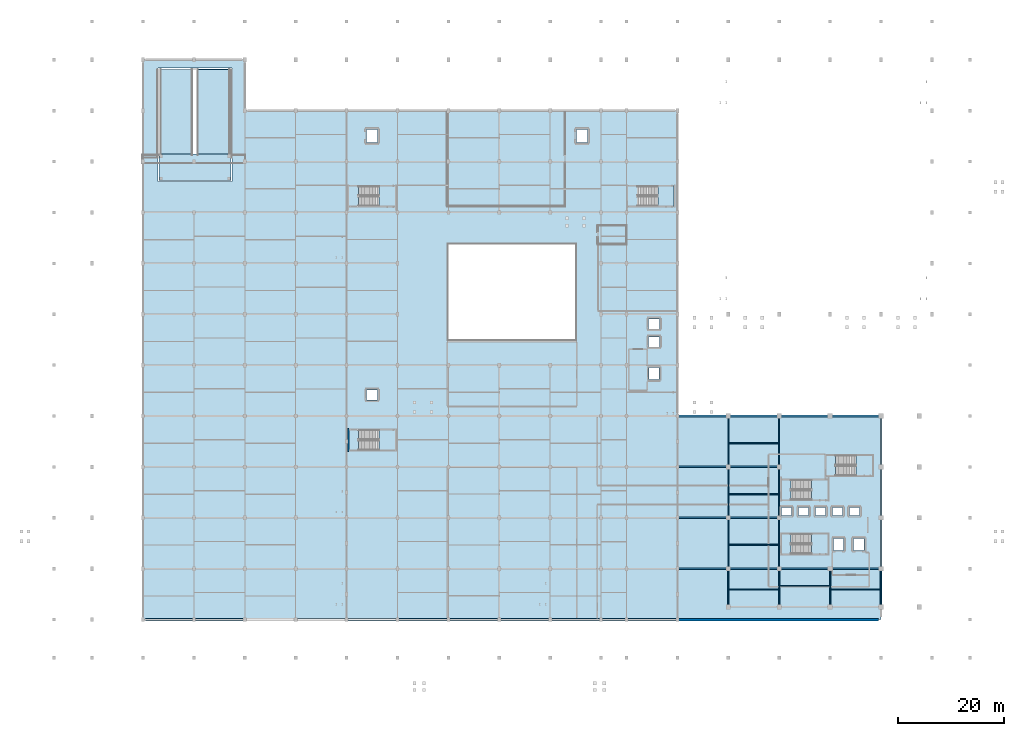
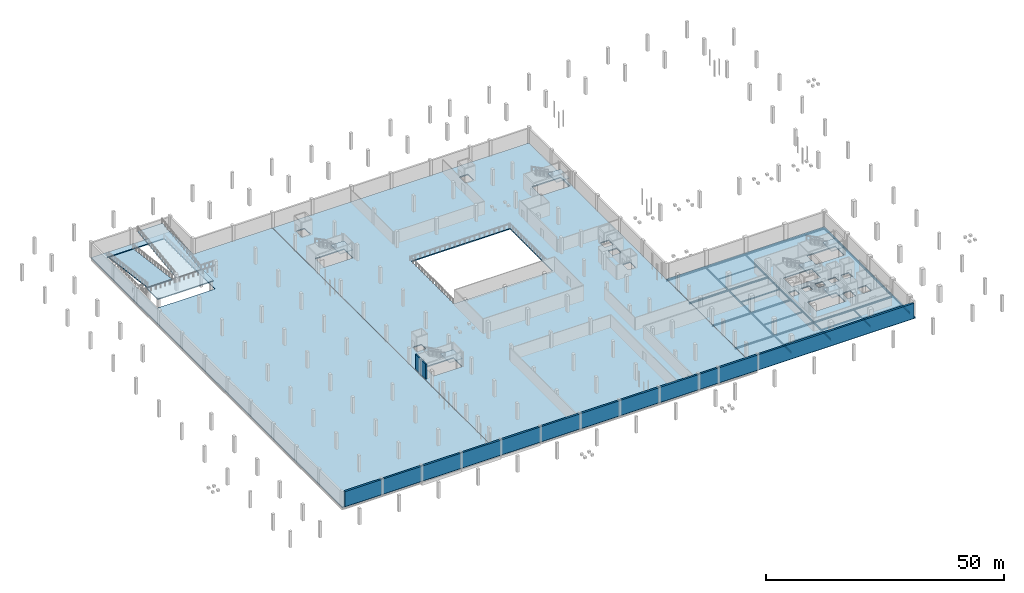
# One storey, part 30 of 47: 31 beams, 12 slabs, 2 walls, 6 elements without a shape of their own.
"""IFC4 building model written with IfcOpenShell, lengths in metres."""

from ifc_helpers import new_model, si_unit, direction, frame, frame_2d, origin, origin_2d, place, context, subcontext, project, spatial, polyline, rectangle, i_section, outline, extrude, material, layer, layer_set, material_profile, profile_set, type_object, element, aggregate, save


model = new_model("IFC4")

# Units and contexts
model_context = context("Model", 3, precision=1e-05, world=origin(), true_north=direction((0.0, 1.0)))
body_context = subcontext(model_context, "Body", "Model", "MODEL_VIEW")
ifc_project = project(units=[si_unit("LENGTHUNIT", "METRE"), si_unit("AREAUNIT", "SQUARE_METRE"), si_unit("VOLUMEUNIT", "CUBIC_METRE"), si_unit("PLANEANGLEUNIT", "RADIAN"), si_unit("MASSUNIT", "GRAM", prefix="KILO")], contexts=[model_context])

# Site, building, storey
site_placement = place(None, origin())
site = spatial("IfcSite", under=ifc_project, at=site_placement, CompositionType="ELEMENT")
building_placement = place(site_placement, origin())
building = spatial("IfcBuilding", under=site, at=building_placement, Name="Zevrakil Square Congress Hotel", CompositionType="ELEMENT")
storey_placement = place(building_placement, frame((0.0, 0.0, -4.199951171875)))
storey = spatial("IfcBuildingStorey", under=building, at=storey_placement, Name="B1", CompositionType="ELEMENT", Elevation=-4.199951171875)

# Beams
ifc_material_1 = material(Name="Steel S355", Category="steel")
ifc_material_profile_1 = material_profile(ifc_material_1, i_section(OverallWidth=0.300048828125, OverallDepth=0.43994140625, WebThickness=0.011474609375, FlangeThickness=0.02099609375, FilletRadius=0.027099609375, at=origin_2d()), Name="HEA 450")
ifc_profile_set_1 = profile_set([ifc_material_profile_1], Name="Steel S355")
beam_type_1 = type_object("IfcBeamType", Name="BM-HEA450", PredefinedType="BEAM", material=ifc_profile_set_1)
beam_1_placement = place(storey_placement, frame((117.60009765625, 16.800048828125, -0.489990234375), z_axis=(1.0, 0.0, 0.0), x_axis=(0.0, 1.0, 0.0)))
element("IfcBeam", 1, at=beam_1_placement, inside=storey, type_object=beam_type_1, Name="B1 primary girder BX-0026", PredefinedType="BEAM", context=body_context, shape_type="SweptSolid", body=[
    extrude(i_section(OverallWidth=0.300048828125, OverallDepth=0.43994140625, WebThickness=0.011474609375, FlangeThickness=0.02099609375, FilletRadius=0.027099609375, at=origin_2d()), origin(), (0.0, 0.0, 1.0), 9.599853515625),
])
beam_2_placement = place(storey_placement, frame((127.199951171875, 16.800048828125, -0.489990234375), z_axis=(1.0, 0.0, 0.0), x_axis=(0.0, 1.0, 0.0)))
element("IfcBeam", 2, at=beam_2_placement, inside=storey, type_object=beam_type_1, Name="B1 primary girder BX-0027", PredefinedType="BEAM", context=body_context, shape_type="SweptSolid", body=[
    extrude(i_section(OverallWidth=0.300048828125, OverallDepth=0.43994140625, WebThickness=0.011474609375, FlangeThickness=0.02099609375, FilletRadius=0.027099609375, at=origin_2d()), origin(), (0.0, 0.0, 1.0), 9.60009765625),
])
beam_3_placement = place(storey_placement, frame((136.800048828125, 16.800048828125, -0.489990234375), z_axis=(1.0, 0.0, 0.0), x_axis=(0.0, 1.0, 0.0)))
element("IfcBeam", 3, at=beam_3_placement, inside=storey, type_object=beam_type_1, Name="B1 primary girder BX-0028", PredefinedType="BEAM", context=body_context, shape_type="SweptSolid", body=[
    extrude(i_section(OverallWidth=0.300048828125, OverallDepth=0.43994140625, WebThickness=0.011474609375, FlangeThickness=0.02099609375, FilletRadius=0.027099609375, at=origin_2d()), origin(), (0.0, 0.0, 1.0), 9.599853515625),
])
beam_4_placement = place(storey_placement, frame((146.39990234375, 16.800048828125, -0.489990234375), z_axis=(1.0, 0.0, 0.0), x_axis=(0.0, 1.0, 0.0)))
element("IfcBeam", 4, at=beam_4_placement, inside=storey, type_object=beam_type_1, Name="B1 primary girder BX-0029", PredefinedType="BEAM", context=body_context, shape_type="SweptSolid", body=[
    extrude(i_section(OverallWidth=0.300048828125, OverallDepth=0.43994140625, WebThickness=0.011474609375, FlangeThickness=0.02099609375, FilletRadius=0.027099609375, at=origin_2d()), origin(), (0.0, 0.0, 1.0), 9.60009765625),
])
beam_5_placement = place(storey_placement, frame((117.60009765625, 26.39990234375, -0.489990234375), z_axis=(1.0, 0.0, 0.0), x_axis=(0.0, 1.0, 0.0)))
element("IfcBeam", 5, at=beam_5_placement, inside=storey, type_object=beam_type_1, Name="B1 primary girder BX-0041", PredefinedType="BEAM", context=body_context, shape_type="SweptSolid", body=[
    extrude(i_section(OverallWidth=0.300048828125, OverallDepth=0.43994140625, WebThickness=0.011474609375, FlangeThickness=0.02099609375, FilletRadius=0.027099609375, at=origin_2d()), origin(), (0.0, 0.0, 1.0), 9.599853515625),
])
beam_6_placement = place(storey_placement, frame((127.199951171875, 26.39990234375, -0.489990234375), z_axis=(1.0, 0.0, 0.0), x_axis=(0.0, 1.0, 0.0)))
element("IfcBeam", 6, at=beam_6_placement, inside=storey, type_object=beam_type_1, Name="B1 primary girder BX-0042", PredefinedType="BEAM", context=body_context, shape_type="SweptSolid", body=[
    extrude(i_section(OverallWidth=0.300048828125, OverallDepth=0.43994140625, WebThickness=0.011474609375, FlangeThickness=0.02099609375, FilletRadius=0.027099609375, at=origin_2d()), origin(), (0.0, 0.0, 1.0), 9.60009765625),
])
beam_7_placement = place(storey_placement, frame((117.60009765625, 36.0, -0.489990234375), z_axis=(1.0, 0.0, 0.0), x_axis=(0.0, 1.0, 0.0)))
element("IfcBeam", 7, at=beam_7_placement, inside=storey, type_object=beam_type_1, Name="B1 primary girder BX-0054", PredefinedType="BEAM", context=body_context, shape_type="SweptSolid", body=[
    extrude(i_section(OverallWidth=0.300048828125, OverallDepth=0.43994140625, WebThickness=0.011474609375, FlangeThickness=0.02099609375, FilletRadius=0.027099609375, at=origin_2d()), origin(), (0.0, 0.0, 1.0), 9.599853515625),
])
beam_8_placement = place(storey_placement, frame((127.199951171875, 36.0, -0.489990234375), z_axis=(1.0, 0.0, 0.0), x_axis=(0.0, 1.0, 0.0)))
element("IfcBeam", 8, at=beam_8_placement, inside=storey, type_object=beam_type_1, Name="B1 primary girder BX-0055", PredefinedType="BEAM", context=body_context, shape_type="SweptSolid", body=[
    extrude(i_section(OverallWidth=0.300048828125, OverallDepth=0.43994140625, WebThickness=0.011474609375, FlangeThickness=0.02099609375, FilletRadius=0.027099609375, at=origin_2d()), origin(), (0.0, 0.0, 1.0), 9.60009765625),
])
beam_9_placement = place(storey_placement, frame((117.60009765625, 45.60009765625, -0.489990234375), z_axis=(1.0, 0.0, 0.0), x_axis=(0.0, 1.0, 0.0)))
element("IfcBeam", 9, at=beam_9_placement, inside=storey, type_object=beam_type_1, Name="B1 primary girder BX-0067", PredefinedType="BEAM", context=body_context, shape_type="SweptSolid", body=[
    extrude(i_section(OverallWidth=0.300048828125, OverallDepth=0.43994140625, WebThickness=0.011474609375, FlangeThickness=0.02099609375, FilletRadius=0.027099609375, at=origin_2d()), origin(), (0.0, 0.0, 1.0), 9.599853515625),
])
beam_10_placement = place(storey_placement, frame((127.199951171875, 45.60009765625, -0.489990234375), z_axis=(1.0, 0.0, 0.0), x_axis=(0.0, 1.0, 0.0)))
element("IfcBeam", 10, at=beam_10_placement, inside=storey, type_object=beam_type_1, Name="B1 primary girder BX-0068", PredefinedType="BEAM", context=body_context, shape_type="SweptSolid", body=[
    extrude(i_section(OverallWidth=0.300048828125, OverallDepth=0.43994140625, WebThickness=0.011474609375, FlangeThickness=0.02099609375, FilletRadius=0.027099609375, at=origin_2d()), origin(), (0.0, 0.0, 1.0), 9.60009765625),
])
beam_11_placement = place(storey_placement, frame((136.800048828125, 45.60009765625, -0.489990234375), z_axis=(1.0, 0.0, 0.0), x_axis=(0.0, 1.0, 0.0)))
element("IfcBeam", 11, at=beam_11_placement, inside=storey, type_object=beam_type_1, Name="B1 primary girder BX-0069", PredefinedType="BEAM", context=body_context, shape_type="SweptSolid", body=[
    extrude(i_section(OverallWidth=0.300048828125, OverallDepth=0.43994140625, WebThickness=0.011474609375, FlangeThickness=0.02099609375, FilletRadius=0.027099609375, at=origin_2d()), origin(), (0.0, 0.0, 1.0), 9.599853515625),
])
beam_12_placement = place(storey_placement, frame((146.39990234375, 45.60009765625, -0.489990234375), z_axis=(1.0, 0.0, 0.0), x_axis=(0.0, 1.0, 0.0)))
element("IfcBeam", 12, at=beam_12_placement, inside=storey, type_object=beam_type_1, Name="B1 primary girder BX-0070", PredefinedType="BEAM", context=body_context, shape_type="SweptSolid", body=[
    extrude(i_section(OverallWidth=0.300048828125, OverallDepth=0.43994140625, WebThickness=0.011474609375, FlangeThickness=0.02099609375, FilletRadius=0.027099609375, at=origin_2d()), origin(), (0.0, 0.0, 1.0), 9.60009765625),
])
ifc_material_2 = material(Name="Steel S355", Category="steel")
ifc_material_profile_2 = material_profile(ifc_material_2, i_section(OverallWidth=0.18994140625, OverallDepth=0.449951171875, WebThickness=0.009521484375, FlangeThickness=0.0146484375, FilletRadius=0.02099609375, at=origin_2d()), Name="IPE 450")
ifc_profile_set_2 = profile_set([ifc_material_profile_2], Name="Steel S355")
beam_type_2 = type_object("IfcBeamType", Name="BM-IPE450", PredefinedType="BEAM", material=ifc_profile_set_2)
for number, where, z_axis, x_axis, name in (
    (13, (127.199951171875, 9.60009765625, -0.4951171875), (0.0, 1.0, 0.0), (-1.0, 0.0, 0.0), "B1 primary girder BY-0246"),
    (14, (136.800048828125, 9.60009765625, -0.4951171875), (0.0, 1.0, 0.0), (-1.0, 0.0, 0.0), "B1 primary girder BY-0250"),
    (15, (146.39990234375, 9.60009765625, -0.4951171875), (0.0, 1.0, 0.0), (-1.0, 0.0, 0.0), "B1 primary girder BY-0254"),
    (16, (156.0, 9.60009765625, -0.4951171875), (0.0, 1.0, 0.0), (-1.0, 0.0, 0.0), "B1 primary girder BY-0255"),
):
    element("IfcBeam", number, at=place(storey_placement, frame(where, z_axis=z_axis, x_axis=x_axis)), inside=storey, type_object=beam_type_2, Name=name, PredefinedType="BEAM", context=body_context, shape_type="SweptSolid", body=[
        extrude(i_section(OverallWidth=0.18994140625, OverallDepth=0.449951171875, WebThickness=0.009521484375, FlangeThickness=0.0146484375, FilletRadius=0.02099609375, at=origin_2d()), origin(), (0.0, 0.0, 1.0), 7.199951171875),
    ])
ifc_material_3 = material(Name="Steel S355", Category="steel")
ifc_material_profile_3 = material_profile(ifc_material_3, i_section(OverallWidth=0.199951171875, OverallDepth=0.5, WebThickness=0.01025390625, FlangeThickness=0.01611328125, FilletRadius=0.02099609375, at=origin_2d()), Name="IPE 500")
ifc_profile_set_3 = profile_set([ifc_material_profile_3], Name="Steel S355")
beam_type_3 = type_object("IfcBeamType", Name="BM-IPE500", PredefinedType="BEAM", material=ifc_profile_set_3)
beam_13_placement = place(storey_placement, frame((127.199951171875, 16.800048828125, -0.52001953125), z_axis=(0.0, 1.0, 0.0), x_axis=(-1.0, 0.0, 0.0)))
element("IfcBeam", 17, at=beam_13_placement, inside=storey, type_object=beam_type_3, Name="B1 primary girder BY-0247", PredefinedType="BEAM", context=body_context, shape_type="SweptSolid", body=[
    extrude(i_section(OverallWidth=0.199951171875, OverallDepth=0.5, WebThickness=0.01025390625, FlangeThickness=0.01611328125, FilletRadius=0.02099609375, at=origin_2d()), origin(), (0.0, 0.0, 1.0), 9.599853515625),
])
for number, where, z_axis, x_axis, name in (
    (18, (127.199951171875, 26.39990234375, -0.52001953125), (0.0, 1.0, 0.0), (-1.0, 0.0, 0.0), "B1 primary girder BY-0248"),
    (19, (127.199951171875, 36.0, -0.52001953125), (0.0, 1.0, 0.0), (-1.0, 0.0, 0.0), "B1 primary girder BY-0249"),
):
    element("IfcBeam", number, at=place(storey_placement, frame(where, z_axis=z_axis, x_axis=x_axis)), inside=storey, type_object=beam_type_3, Name=name, PredefinedType="BEAM", context=body_context, shape_type="SweptSolid", body=[
        extrude(i_section(OverallWidth=0.199951171875, OverallDepth=0.5, WebThickness=0.01025390625, FlangeThickness=0.01611328125, FilletRadius=0.02099609375, at=origin_2d()), origin(), (0.0, 0.0, 1.0), 9.60009765625),
    ])
beam_14_placement = place(storey_placement, frame((136.800048828125, 16.800048828125, -0.52001953125), z_axis=(0.0, 1.0, 0.0), x_axis=(-1.0, 0.0, 0.0)))
element("IfcBeam", 20, at=beam_14_placement, inside=storey, type_object=beam_type_3, Name="B1 primary girder BY-0251", PredefinedType="BEAM", context=body_context, shape_type="SweptSolid", body=[
    extrude(i_section(OverallWidth=0.199951171875, OverallDepth=0.5, WebThickness=0.01025390625, FlangeThickness=0.01611328125, FilletRadius=0.02099609375, at=origin_2d()), origin(), (0.0, 0.0, 1.0), 9.599853515625),
])
for number, where, z_axis, x_axis, name in (
    (21, (136.800048828125, 26.39990234375, -0.52001953125), (0.0, 1.0, 0.0), (-1.0, 0.0, 0.0), "B1 primary girder BY-0252"),
    (22, (136.800048828125, 36.0, -0.52001953125), (0.0, 1.0, 0.0), (-1.0, 0.0, 0.0), "B1 primary girder BY-0253"),
):
    element("IfcBeam", number, at=place(storey_placement, frame(where, z_axis=z_axis, x_axis=x_axis)), inside=storey, type_object=beam_type_3, Name=name, PredefinedType="BEAM", context=body_context, shape_type="SweptSolid", body=[
        extrude(i_section(OverallWidth=0.199951171875, OverallDepth=0.5, WebThickness=0.01025390625, FlangeThickness=0.01611328125, FilletRadius=0.02099609375, at=origin_2d()), origin(), (0.0, 0.0, 1.0), 9.60009765625),
    ])
beam_15_placement = place(storey_placement, frame((156.0, 16.800048828125, -0.52001953125), z_axis=(0.0, 1.0, 0.0), x_axis=(-1.0, 0.0, 0.0)))
element("IfcBeam", 23, at=beam_15_placement, inside=storey, type_object=beam_type_3, Name="B1 primary girder BY-0256", PredefinedType="BEAM", context=body_context, shape_type="SweptSolid", body=[
    extrude(i_section(OverallWidth=0.199951171875, OverallDepth=0.5, WebThickness=0.01025390625, FlangeThickness=0.01611328125, FilletRadius=0.02099609375, at=origin_2d()), origin(), (0.0, 0.0, 1.0), 9.599853515625),
])
for number, where, z_axis, x_axis, name in (
    (24, (156.0, 26.39990234375, -0.52001953125), (0.0, 1.0, 0.0), (-1.0, 0.0, 0.0), "B1 primary girder BY-0257"),
    (25, (156.0, 36.0, -0.52001953125), (0.0, 1.0, 0.0), (-1.0, 0.0, 0.0), "B1 primary girder BY-0258"),
):
    element("IfcBeam", number, at=place(storey_placement, frame(where, z_axis=z_axis, x_axis=x_axis)), inside=storey, type_object=beam_type_3, Name=name, PredefinedType="BEAM", context=body_context, shape_type="SweptSolid", body=[
        extrude(i_section(OverallWidth=0.199951171875, OverallDepth=0.5, WebThickness=0.01025390625, FlangeThickness=0.01611328125, FilletRadius=0.02099609375, at=origin_2d()), origin(), (0.0, 0.0, 1.0), 9.60009765625),
    ])
ifc_material_4 = material(Name="Steel S355", Category="steel")
ifc_material_profile_4 = material_profile(ifc_material_4, i_section(OverallWidth=0.1201171875, OverallDepth=0.239990234375, WebThickness=0.006103515625, FlangeThickness=0.009765625, FilletRadius=0.014892578125, at=origin_2d()), Name="IPE 240")
ifc_profile_set_4 = profile_set([ifc_material_profile_4], Name="Steel S355")
beam_type_4 = type_object("IfcBeamType", Name="JST-IPE240", PredefinedType="JOIST", material=ifc_profile_set_4)
for number, where, z_axis, x_axis, name in (
    (26, (127.219970703125, 12.8798828125, -0.39013671875), (1.0, 0.0, 0.0), (0.0, 1.0, 0.0), "B1 composite floor joist J-0077"),
    (27, (146.419921875, 12.8798828125, -0.39013671875), (1.0, 0.0, 0.0), (0.0, 1.0, 0.0), "B1 composite floor joist J-0082"),
):
    element("IfcBeam", number, at=place(storey_placement, frame(where, z_axis=z_axis, x_axis=x_axis)), inside=storey, type_object=beam_type_4, Name=name, PredefinedType="JOIST", context=body_context, shape_type="SweptSolid", body=[
        extrude(i_section(OverallWidth=0.1201171875, OverallDepth=0.239990234375, WebThickness=0.006103515625, FlangeThickness=0.009765625, FilletRadius=0.014892578125, at=origin_2d()), origin(), (0.0, 0.0, 1.0), 9.56005859375),
    ])
ifc_material_5 = material(Name="Steel S355", Category="steel")
ifc_material_profile_5 = material_profile(ifc_material_5, i_section(OverallWidth=0.135009765625, OverallDepth=0.27001953125, WebThickness=0.006591796875, FlangeThickness=0.01025390625, FilletRadius=0.014892578125, at=origin_2d()), Name="IPE 270")
ifc_profile_set_5 = profile_set([ifc_material_profile_5], Name="Steel S355")
beam_type_5 = type_object("IfcBeamType", Name="JST-IPE270", PredefinedType="JOIST", material=ifc_profile_set_5)
beam_16_placement = place(storey_placement, frame((136.820068359375, 13.52001953125, -0.405029296875), z_axis=(1.0, 0.0, 0.0), x_axis=(0.0, 1.0, 0.0)))
element("IfcBeam", 28, at=beam_16_placement, inside=storey, type_object=beam_type_5, Name="B1 composite floor joist J-0081", PredefinedType="JOIST", context=body_context, shape_type="SweptSolid", body=[
    extrude(i_section(OverallWidth=0.135009765625, OverallDepth=0.27001953125, WebThickness=0.006591796875, FlangeThickness=0.01025390625, FilletRadius=0.014892578125, at=origin_2d()), origin(), (0.0, 0.0, 1.0), 9.559814453125),
])
ifc_material_6 = material(Name="Steel S355", Category="steel")
ifc_material_profile_6 = material_profile(ifc_material_6, i_section(OverallWidth=0.14990234375, OverallDepth=0.300048828125, WebThickness=0.007080078125, FlangeThickness=0.0107421875, FilletRadius=0.014892578125, at=origin_2d()), Name="IPE 300")
ifc_profile_set_6 = profile_set([ifc_material_profile_6], Name="Steel S355")
beam_type_6 = type_object("IfcBeamType", Name="JST-IPE300", PredefinedType="JOIST", material=ifc_profile_set_6)
beam_17_placement = place(storey_placement, frame((127.219970703125, 40.47998046875, -0.420166015625), z_axis=(1.0, 0.0, 0.0), x_axis=(0.0, 1.0, 0.0)))
element("IfcBeam", 29, at=beam_17_placement, inside=storey, type_object=beam_type_6, Name="B1 composite floor joist J-0080", PredefinedType="JOIST", context=body_context, shape_type="SweptSolid", body=[
    extrude(i_section(OverallWidth=0.14990234375, OverallDepth=0.300048828125, WebThickness=0.007080078125, FlangeThickness=0.0107421875, FilletRadius=0.014892578125, at=origin_2d()), origin(), (0.0, 0.0, 1.0), 9.56005859375),
])
ifc_material_7 = material(Name="Steel S355", Category="steel")
ifc_material_profile_7 = material_profile(ifc_material_7, i_section(OverallWidth=0.169921875, OverallDepth=0.360107421875, WebThickness=0.008056640625, FlangeThickness=0.0126953125, FilletRadius=0.01806640625, at=origin_2d()), Name="IPE 360")
ifc_profile_set_7 = profile_set([ifc_material_profile_7], Name="Steel S355")
beam_type_7 = type_object("IfcBeamType", Name="JST-IPE360", PredefinedType="JOIST", material=ifc_profile_set_7)
beam_18_placement = place(storey_placement, frame((127.219970703125, 30.8798828125, -0.449951171875), z_axis=(1.0, 0.0, 0.0), x_axis=(0.0, 1.0, 0.0)))
element("IfcBeam", 30, at=beam_18_placement, inside=storey, type_object=beam_type_7, Name="B1 composite floor joist J-0079", PredefinedType="JOIST", context=body_context, shape_type="SweptSolid", body=[
    extrude(i_section(OverallWidth=0.169921875, OverallDepth=0.360107421875, WebThickness=0.008056640625, FlangeThickness=0.0126953125, FilletRadius=0.01806640625, at=origin_2d()), origin(), (0.0, 0.0, 1.0), 9.56005859375),
])
ifc_material_8 = material(Name="Steel S355", Category="steel")
ifc_material_profile_8 = material_profile(ifc_material_8, i_section(OverallWidth=0.179931640625, OverallDepth=0.39990234375, WebThickness=0.008544921875, FlangeThickness=0.013427734375, FilletRadius=0.02099609375, at=origin_2d()), Name="IPE 400")
ifc_profile_set_8 = profile_set([ifc_material_profile_8], Name="Steel S355")
beam_type_8 = type_object("IfcBeamType", Name="JST-IPE400", PredefinedType="JOIST", material=ifc_profile_set_8)
beam_19_placement = place(storey_placement, frame((127.219970703125, 21.280029296875, -0.469970703125), z_axis=(1.0, 0.0, 0.0), x_axis=(0.0, 1.0, 0.0)))
element("IfcBeam", 31, at=beam_19_placement, inside=storey, type_object=beam_type_8, Name="B1 composite floor joist J-0078", PredefinedType="JOIST", context=body_context, shape_type="SweptSolid", body=[
    extrude(i_section(OverallWidth=0.179931640625, OverallDepth=0.39990234375, WebThickness=0.008544921875, FlangeThickness=0.013427734375, FilletRadius=0.02099609375, at=origin_2d()), origin(), (0.0, 0.0, 1.0), 9.56005859375),
])

# Slabs
ifc_material_9 = material(Name="Concrete C35/45", Category="concrete")
ifc_layer_1 = layer(ifc_material_9, 0.27001953125)
ifc_layer_set_1 = layer_set([ifc_layer_1], Name="Concrete C35/45")
slab_type_1 = type_object("IfcSlabType", Name="SLB-B1-240", PredefinedType="FLOOR", material=ifc_layer_set_1)
slab_1_placement = place(storey_placement, frame((0.0, 0.0, -0.27001953125)))
element("IfcSlab", 32, at=slab_1_placement, inside=storey, type_object=slab_type_1, Name="B1 subterranean structural slab (W joint block)", PredefinedType="FLOOR", context=body_context, shape_type="SweptSolid", body=[
    extrude(outline(polyline([(16.800048828125, 7.199951171875), (16.800048828125, 112.800048828125), (36.0, 112.800048828125), (36.0, 103.199951171875), (55.175048828125, 103.199951171875), (55.175048828125, 7.199951171875), (16.800048828125, 7.199951171875)]), holes=[polyline([(19.60009765625, 89.800048828125), (33.60009765625, 89.800048828125), (33.60009765625, 111.199951171875), (19.60009765625, 111.199951171875), (19.60009765625, 89.800048828125)])]), origin(), (0.0, 0.0, 1.0), 0.27001953125),
])
slab_2_placement = place(storey_placement, frame((0.0, 0.0, -0.27001953125)))
element("IfcSlab", 33, at=slab_2_placement, inside=storey, type_object=slab_type_1, Name="B1 subterranean structural slab (M joint block)", PredefinedType="FLOOR", context=body_context, shape_type="SweptSolid", body=[
    extrude(outline(polyline([(55.22509765625, 7.199951171875), (55.22509765625, 103.199951171875), (117.574951171875, 103.199951171875), (117.574951171875, 7.199951171875), (55.22509765625, 7.199951171875)]), holes=[polyline([(57.445068359375, 39.199951171875), (64.39990234375, 39.199951171875), (64.39990234375, 42.949951171875), (57.445068359375, 42.949951171875), (57.445068359375, 39.199951171875)]), polyline([(57.445068359375, 85.199951171875), (64.39990234375, 85.199951171875), (64.39990234375, 88.949951171875), (57.445068359375, 88.949951171875), (57.445068359375, 85.199951171875)]), polyline([(110.044921875, 85.199951171875), (117.0, 85.199951171875), (117.0, 88.949951171875), (110.044921875, 88.949951171875), (110.044921875, 85.199951171875)]), polyline([(112.260009765625, 52.4599609375), (114.139892578125, 52.4599609375), (114.139892578125, 54.739990234375), (112.260009765625, 54.739990234375), (112.260009765625, 52.4599609375)]), polyline([(112.159912109375, 58.659912109375), (114.239990234375, 58.659912109375), (114.239990234375, 60.5400390625), (112.159912109375, 60.5400390625), (112.159912109375, 58.659912109375)]), polyline([(112.159912109375, 62.06005859375), (114.239990234375, 62.06005859375), (114.239990234375, 63.93994140625), (112.159912109375, 63.93994140625), (112.159912109375, 62.06005859375)]), polyline([(58.9599609375, 48.659912109375), (61.0400390625, 48.659912109375), (61.0400390625, 50.5400390625), (58.9599609375, 50.5400390625), (58.9599609375, 48.659912109375)]), polyline([(58.9599609375, 97.159912109375), (61.0400390625, 97.159912109375), (61.0400390625, 99.639892578125), (58.9599609375, 99.639892578125), (58.9599609375, 97.159912109375)]), polyline([(98.56005859375, 97.159912109375), (100.639892578125, 97.159912109375), (100.639892578125, 99.639892578125), (98.56005859375, 99.639892578125), (98.56005859375, 97.159912109375)]), polyline([(74.39990234375, 60.0), (98.39990234375, 60.0), (98.39990234375, 78.0), (74.39990234375, 78.0), (74.39990234375, 60.0)])]), origin(), (0.0, 0.0, 1.0), 0.27001953125),
])
slab_3_placement = place(storey_placement, frame((0.0, 0.0, -0.27001953125)))
element("IfcSlab", 34, at=slab_3_placement, inside=storey, type_object=slab_type_1, Name="B1 subterranean structural slab (E joint block)", PredefinedType="FLOOR", context=body_context, shape_type="SweptSolid", body=[
    extrude(outline(polyline([(156.0, 45.60009765625), (156.0, 7.199951171875), (117.625, 7.199951171875), (117.625, 45.60009765625), (156.0, 45.60009765625)]), holes=[polyline([(139.044921875, 19.60009765625), (146.0, 19.60009765625), (146.0, 23.35009765625), (139.044921875, 23.35009765625), (139.044921875, 19.60009765625)]), polyline([(139.044921875, 29.800048828125), (146.0, 29.800048828125), (146.0, 33.550048828125), (139.044921875, 33.550048828125), (139.044921875, 29.800048828125)]), polyline([(147.445068359375, 34.39990234375), (154.39990234375, 34.39990234375), (154.39990234375, 38.14990234375), (147.445068359375, 38.14990234375), (147.445068359375, 34.39990234375)]), polyline([(137.260009765625, 26.81005859375), (139.139892578125, 26.81005859375), (139.139892578125, 28.389892578125), (137.260009765625, 28.389892578125), (137.260009765625, 26.81005859375)]), polyline([(140.4599609375, 26.81005859375), (142.340087890625, 26.81005859375), (142.340087890625, 28.389892578125), (140.4599609375, 28.389892578125), (140.4599609375, 26.81005859375)]), polyline([(143.659912109375, 26.81005859375), (145.5400390625, 26.81005859375), (145.5400390625, 28.389892578125), (143.659912109375, 28.389892578125), (143.659912109375, 26.81005859375)]), polyline([(146.860107421875, 26.81005859375), (148.739990234375, 26.81005859375), (148.739990234375, 28.389892578125), (146.860107421875, 28.389892578125), (146.860107421875, 26.81005859375)]), polyline([(150.06005859375, 26.81005859375), (151.93994140625, 26.81005859375), (151.93994140625, 28.389892578125), (150.06005859375, 28.389892578125), (150.06005859375, 26.81005859375)]), polyline([(147.06005859375, 20.260009765625), (148.93994140625, 20.260009765625), (148.93994140625, 22.5400390625), (147.06005859375, 22.5400390625), (147.06005859375, 20.260009765625)]), polyline([(150.81005859375, 20.260009765625), (152.7900390625, 20.260009765625), (152.7900390625, 22.5400390625), (150.81005859375, 22.5400390625), (150.81005859375, 20.260009765625)])]), origin(), (0.0, 0.0, 1.0), 0.27001953125),
])

# Stair, slab
ifc_material_10 = material(Name="Concrete C35/45", Category="concrete")
stair_type = type_object("IfcStairType", Name="STR-DOGLEG-180", PredefinedType="HALF_TURN_STAIR", material=ifc_material_10)
stair_1_placement = place(storey_placement, origin())
stair_1 = element("IfcStair", 35, at=stair_1_placement, inside=storey, type_object=stair_type, Name="B1 Protected exit stair ST01", PredefinedType="HALF_TURN_STAIR")
ifc_material_11 = material(Name="Concrete C35/45", Category="concrete")
ifc_layer_2 = layer(ifc_material_11, 0.199951171875)
ifc_layer_set_2 = layer_set([ifc_layer_2], Name="Concrete C35/45")
slab_type_2 = type_object("IfcSlabType", Name="SLB-STAIR-LAND-200", PredefinedType="LANDING", material=ifc_layer_set_2)
slab_4_placement = place(storey_placement, frame((0.0, 0.0, 1.89990234375)))
slab_4 = element("IfcSlab", 36, at=slab_4_placement, type_object=slab_type_2, Name="ST01 landing 1", PredefinedType="LANDING", context=body_context, shape_type="SweptSolid", body=[
    extrude(outline(polyline([(142.89990234375, 19.60009765625), (146.0, 19.60009765625), (146.0, 23.35009765625), (142.89990234375, 23.35009765625), (142.89990234375, 19.60009765625)])), origin(), (0.0, 0.0, 1.0), 0.199951171875),
])
aggregate(stair_1, [slab_4])

stair_2_placement = place(storey_placement, origin())
stair_2 = element("IfcStair", 37, at=stair_2_placement, inside=storey, type_object=stair_type, Name="B1 Protected exit stair ST02", PredefinedType="HALF_TURN_STAIR")
slab_5_placement = place(storey_placement, frame((0.0, 0.0, 1.89990234375)))
slab_5 = element("IfcSlab", 38, at=slab_5_placement, type_object=slab_type_2, Name="ST02 landing 1", PredefinedType="LANDING", context=body_context, shape_type="SweptSolid", body=[
    extrude(outline(polyline([(142.89990234375, 29.800048828125), (146.0, 29.800048828125), (146.0, 33.550048828125), (142.89990234375, 33.550048828125), (142.89990234375, 29.800048828125)])), origin(), (0.0, 0.0, 1.0), 0.199951171875),
])
aggregate(stair_2, [slab_5])

stair_3_placement = place(storey_placement, origin())
stair_3 = element("IfcStair", 39, at=stair_3_placement, inside=storey, type_object=stair_type, Name="B1 Protected exit stair ST03", PredefinedType="HALF_TURN_STAIR")
slab_6_placement = place(storey_placement, frame((0.0, 0.0, 1.89990234375)))
slab_6 = element("IfcSlab", 40, at=slab_6_placement, type_object=slab_type_2, Name="ST03 landing 1", PredefinedType="LANDING", context=body_context, shape_type="SweptSolid", body=[
    extrude(outline(polyline([(151.300048828125, 34.39990234375), (154.39990234375, 34.39990234375), (154.39990234375, 38.14990234375), (151.300048828125, 38.14990234375), (151.300048828125, 34.39990234375)])), origin(), (0.0, 0.0, 1.0), 0.199951171875),
])
aggregate(stair_3, [slab_6])

stair_4_placement = place(storey_placement, origin())
stair_4 = element("IfcStair", 41, at=stair_4_placement, inside=storey, type_object=stair_type, Name="B1 Protected exit stair ST04", PredefinedType="HALF_TURN_STAIR")
slab_7_placement = place(storey_placement, frame((0.0, 0.0, 1.89990234375)))
slab_7 = element("IfcSlab", 42, at=slab_7_placement, type_object=slab_type_2, Name="ST04 landing 1", PredefinedType="LANDING", context=body_context, shape_type="SweptSolid", body=[
    extrude(outline(polyline([(61.300048828125, 39.199951171875), (64.39990234375, 39.199951171875), (64.39990234375, 42.949951171875), (61.300048828125, 42.949951171875), (61.300048828125, 39.199951171875)])), origin(), (0.0, 0.0, 1.0), 0.199951171875),
])
aggregate(stair_4, [slab_7])

stair_5_placement = place(storey_placement, origin())
stair_5 = element("IfcStair", 43, at=stair_5_placement, inside=storey, type_object=stair_type, Name="B1 Protected exit stair ST05", PredefinedType="HALF_TURN_STAIR")
slab_8_placement = place(storey_placement, frame((0.0, 0.0, 1.89990234375)))
slab_8 = element("IfcSlab", 44, at=slab_8_placement, type_object=slab_type_2, Name="ST05 landing 1", PredefinedType="LANDING", context=body_context, shape_type="SweptSolid", body=[
    extrude(outline(polyline([(61.300048828125, 85.199951171875), (64.39990234375, 85.199951171875), (64.39990234375, 88.949951171875), (61.300048828125, 88.949951171875), (61.300048828125, 85.199951171875)])), origin(), (0.0, 0.0, 1.0), 0.199951171875),
])
aggregate(stair_5, [slab_8])

stair_6_placement = place(storey_placement, origin())
stair_6 = element("IfcStair", 45, at=stair_6_placement, inside=storey, type_object=stair_type, Name="B1 Protected exit stair ST06", PredefinedType="HALF_TURN_STAIR")
slab_9_placement = place(storey_placement, frame((0.0, 0.0, 1.89990234375)))
slab_9 = element("IfcSlab", 46, at=slab_9_placement, type_object=slab_type_2, Name="ST06 landing 1", PredefinedType="LANDING", context=body_context, shape_type="SweptSolid", body=[
    extrude(outline(polyline([(113.89990234375, 85.199951171875), (117.0, 85.199951171875), (117.0, 88.949951171875), (113.89990234375, 88.949951171875), (113.89990234375, 85.199951171875)])), origin(), (0.0, 0.0, 1.0), 0.199951171875),
])
aggregate(stair_6, [slab_9])

# Slabs
ifc_material_12 = material(Name="Concrete C40/50", Category="concrete")
ifc_layer_3 = layer(ifc_material_12, 0.25)
ifc_layer_set_3 = layer_set([ifc_layer_3], Name="Concrete C40/50")
slab_type_3 = type_object("IfcSlabType", Name="SLB-VRAMP-250", PredefinedType="FLOOR", material=ifc_layer_set_3)
slab_10_placement = place(storey_placement, frame((20.10009765625, 111.0, 0.0), z_axis=(0.0, 0.128545590647, 0.99170360044), x_axis=(1.0, 0.0, 0.0)))
element("IfcSlab", 47, at=slab_10_placement, inside=storey, type_object=slab_type_3, Name="Car park structural vehicle ramp R1 lower sloped slab VRS-1A", PredefinedType="FLOOR", context=body_context, shape_type="SweptSolid", body=[
    extrude(outline(polyline([(0.0, 0.0), (6.0, 0.0), (6.0, -16.33547681453519), (0.0, -16.33547681453519), (0.0, 0.0)])), origin(), (0.0, 0.0, -1.0), 0.25),
])
slab_11_placement = place(storey_placement, frame((27.10009765625, 94.800048828125, 2.099853515625), z_axis=(0.0, -0.128560289071, 0.991701695105), x_axis=(1.0, 0.0, 0.0)))
element("IfcSlab", 48, at=slab_11_placement, inside=storey, type_object=slab_type_3, Name="Car park structural vehicle ramp R1 upper sloped slab VRS-1B", PredefinedType="FLOOR", context=body_context, shape_type="SweptSolid", body=[
    extrude(outline(polyline([(0.0, 0.0), (6.0, 0.0), (6.0, 16.335508199530278), (0.0, 16.335508199530278), (0.0, 0.0)])), origin(), (0.0, 0.0, -1.0), 0.25),
])
ifc_material_13 = material(Name="Concrete C40/50", Category="concrete")
ifc_layer_4 = layer(ifc_material_13, 0.25)
ifc_layer_set_4 = layer_set([ifc_layer_4], Name="Concrete C40/50")
slab_type_4 = type_object("IfcSlabType", Name="SLB-VRLAND-250", PredefinedType="LANDING", material=ifc_layer_set_4)
slab_12_placement = place(storey_placement, frame((0.0, 0.0, 1.849853515625)))
element("IfcSlab", 49, at=slab_12_placement, inside=storey, type_object=slab_type_4, Name="Car park structural vehicle ramp R1 turning landing slab", PredefinedType="LANDING", context=body_context, shape_type="SweptSolid", body=[
    extrude(outline(polyline([(19.800048828125, 90.0), (33.39990234375, 90.0), (33.39990234375, 95.0), (19.800048828125, 95.0), (19.800048828125, 90.0)])), origin(), (0.0, 0.0, 1.0), 0.25),
])

# Walls
ifc_material_14 = material(Name="Concrete C40/50", Category="concrete")
ifc_layer_5 = layer(ifc_material_14, 0.449951171875)
ifc_layer_set_5 = layer_set([ifc_layer_5], Name="Concrete C40/50")
wall_type_1 = type_object("IfcWallType", Name="WAL-RET-450", PredefinedType="SOLIDWALL", material=ifc_layer_set_5)
wall_1_placement = place(storey_placement, frame((17.300048828125, 7.199951171875, 0.0), z_axis=(0.0, 0.0, 1.0), x_axis=(1.0, 0.0, 0.0)))
element("IfcWall", 50, at=wall_1_placement, inside=storey, type_object=wall_type_1, Name="B1 perimeter concrete retaining wall 1", PredefinedType="SOLIDWALL", context=body_context, shape_type="SweptSolid", body=[
    extrude(rectangle(XDim=138.199951171875, YDim=0.449951171875, at=frame_2d((69.10009765625, 0.0))), origin(), (0.0, 0.0, 1.0), 3.8798828125),
])
ifc_material_15 = material(Name="Concrete C40/50", Category="concrete")
ifc_layer_6 = layer(ifc_material_15, 0.260009765625)
ifc_layer_set_6 = layer_set([ifc_layer_6], Name="Concrete C40/50")
wall_type_2 = type_object("IfcWallType", Name="WAL-SHAFT-260", PredefinedType="SHEAR", material=ifc_layer_set_6)
wall_2_placement = place(storey_placement, frame((55.5048828125, 38.93994140625, 0.0), z_axis=(0.0, 0.0, 1.0), x_axis=(0.0, 1.0, 0.0)))
element("IfcWall", 51, at=wall_2_placement, inside=storey, type_object=wall_type_2, Name="B1 ST04 stair shaft W wall", PredefinedType="SHEAR", context=body_context, shape_type="SweptSolid", body=[
    extrude(rectangle(XDim=4.27001953125, YDim=0.260009765625, at=frame_2d((2.135009765625, 0.0))), origin(), (0.0, 0.0, 1.0), 3.8798828125),
])

save(model, "model.ifc")
